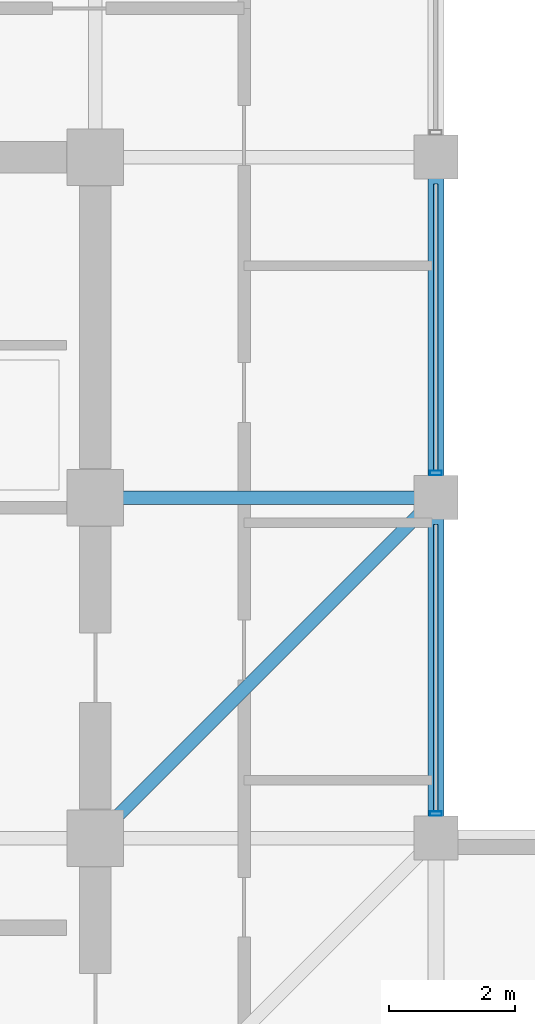
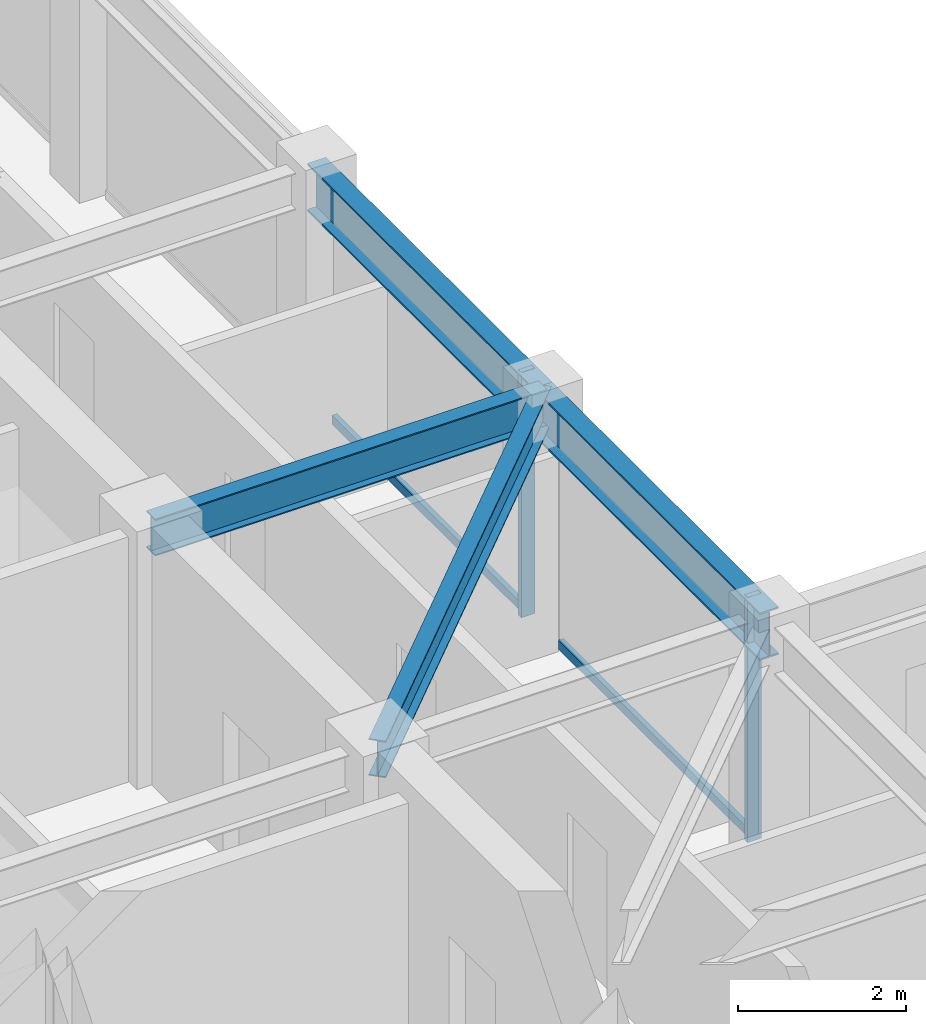
# One storey, part 11 of 31: 4 beams, 4 members, 1 element without a shape of its own.
"""IFC4 building model written with IfcOpenShell, lengths in metres."""

import ifcopenshell
import ifcopenshell.guid

model = None  # the IFC model being written
_history = None  # IfcOwnerHistory: only IFC2X3 demands one
_inside = {}  # id of a spatial element -> (the spatial element, [elements in it])
_under = {}  # id of a project, library or spatial element -> (it, [spatial elements below it])
_declared = {}  # id of a project -> (the project, [libraries it declares])
_typed = {}  # id of a type object -> (the type object, [elements of that type])
_made_of = {}  # id of a material, layer set ... -> (it, [elements and type objects made of it])


def new_model(schema):
    """Start an empty IFC model of exactly this schema.

    Asked for "IFC4X3", IfcOpenShell would pick the latest addendum, in which some entities
    have other attributes; the version numbers below select the first issue.
    IFC2X3 requires an IfcOwnerHistory on every rooted entity: one is made here for all.
    """
    global model, _history
    if schema == "IFC4X3":
        model = ifcopenshell.file(schema_version=(4, 3, 0, 0))
    else:
        model = ifcopenshell.file(schema=schema)
    _inside.clear()
    _under.clear()
    _declared.clear()
    _typed.clear()
    _made_of.clear()
    _history = None
    if model.schema == "IFC2X3":
        org = make("IfcOrganization", Name="unknown")
        user = make(
            "IfcPersonAndOrganization",
            ThePerson=make("IfcPerson", FamilyName="unknown"),
            TheOrganization=org,
        )
        app = make(
            "IfcApplication",
            ApplicationDeveloper=org,
            Version="unknown",
            ApplicationFullName="unknown",
            ApplicationIdentifier="unknown",
        )
        _history = make(
            "IfcOwnerHistory",
            OwningUser=user,
            OwningApplication=app,
            ChangeAction="ADDED",
            CreationDate=0,
        )
    return model


def make(cls, **values):
    """One entity of the class cls with the attributes given. An attribute that is None is left unset."""
    return model.create_entity(
        cls, **{name: value for name, value in values.items() if value is not None}
    )


def rooted(cls, **values):
    """An entity with a GlobalId (a new one), such as an element, a storey or a relation."""
    return make(cls, GlobalId=ifcopenshell.guid.new(), OwnerHistory=_history, **values)


def si_unit(unit_type, name, prefix=None):
    """IfcSIUnit, for example si_unit("LENGTHUNIT", "METRE", prefix="MILLI")."""
    return make("IfcSIUnit", UnitType=unit_type, Prefix=prefix, Name=name)


def assignment(units):
    """IfcUnitAssignment: the units of a project."""
    return None if units is None else make("IfcUnitAssignment", Units=units)


def point(xyz):
    """IfcCartesianPoint."""
    return None if xyz is None else make("IfcCartesianPoint", Coordinates=xyz)


def direction(xyz):
    """IfcDirection."""
    return None if xyz is None else make("IfcDirection", DirectionRatios=xyz)


def frame(location, z_axis=None, x_axis=None):
    """IfcAxis2Placement3D, a coordinate frame: its origin and axes. An axis left out is left unset."""
    return make(
        "IfcAxis2Placement3D",
        Location=point(location),
        Axis=direction(z_axis),
        RefDirection=direction(x_axis),
    )


def frame_2d(location, x_axis=None):
    """IfcAxis2Placement2D, a coordinate frame in the plane: its origin and x axis."""
    return make(
        "IfcAxis2Placement2D", Location=point(location), RefDirection=direction(x_axis)
    )


def origin():
    """The frame at (0, 0, 0) with its axes left unset."""
    return frame((0.0, 0.0, 0.0))


def origin_2d():
    """The frame at (0, 0) in the plane with its x axis left unset."""
    return frame_2d((0.0, 0.0))


def place(relative_to, where):
    """IfcLocalPlacement: puts the frame where relative to a parent placement (None: the world)."""
    return make(
        "IfcLocalPlacement", PlacementRelTo=relative_to, RelativePlacement=where
    )


def context(
    kind, dimensions, precision=None, world=None, true_north=None, identifier=None
):
    """IfcGeometricRepresentationContext, for example the 3D "Model" context."""
    return make(
        "IfcGeometricRepresentationContext",
        ContextIdentifier=identifier,
        ContextType=kind,
        CoordinateSpaceDimension=dimensions,
        Precision=precision,
        WorldCoordinateSystem=world,
        TrueNorth=true_north,
    )


def subcontext(parent, identifier, kind, view, scale=None):
    """IfcGeometricRepresentationSubContext, for example "Body" below "Model"."""
    return make(
        "IfcGeometricRepresentationSubContext",
        ContextIdentifier=identifier,
        ContextType=kind,
        ParentContext=parent,
        TargetScale=scale,
        TargetView=view,
    )


def project(units=None, contexts=None):
    """IfcProject with its units and contexts."""
    return rooted(
        "IfcProject",
        Name="project",
        RepresentationContexts=contexts,
        UnitsInContext=assignment(units),
    )


def spatial(cls, under=None, at=None, **own):
    """A site, building, storey or space (cls), placed at a placement, below another one or the project."""
    s = rooted(cls, ObjectPlacement=at, **own)
    if under is not None:
        _under.setdefault(under.id(), (under, []))[1].append(s)
    return s


def profile(cls, at=None, kind="AREA", **sizes):
    """A parametric profile (cls). Its sizes go by their IFC names, for example OverallWidth=200.0."""
    return make(cls, ProfileType=kind, Position=at, **sizes)


def hollow_rectangle(**sizes):
    """IfcRectangleHollowProfileDef."""
    return profile("IfcRectangleHollowProfileDef", **sizes)


def i_section(**sizes):
    """IfcIShapeProfileDef."""
    return profile("IfcIShapeProfileDef", **sizes)


def extrude(swept, where, along, depth):
    """IfcExtrudedAreaSolid: the profile swept, set in the frame where, extruded along a direction by depth."""
    return make(
        "IfcExtrudedAreaSolid",
        SweptArea=swept,
        Position=where,
        ExtrudedDirection=direction(along),
        Depth=depth,
    )


def shape(context_of_items, identifier, shape_type, items):
    """IfcShapeRepresentation: the items that make up one representation, for example the "Body"."""
    return make(
        "IfcShapeRepresentation",
        ContextOfItems=context_of_items,
        RepresentationIdentifier=identifier,
        RepresentationType=shape_type,
        Items=items,
    )


def material(Name=None, Category=None):
    """IfcMaterial."""
    return make("IfcMaterial", Name=Name, Category=Category)


def layer(
    of_material, thickness, ventilated=None, Name=None, Category=None, Priority=None
):
    """IfcMaterialLayer: one layer of a wall or slab, of a material (None: an air gap)."""
    return make(
        "IfcMaterialLayer",
        Material=of_material,
        LayerThickness=thickness,
        IsVentilated=ventilated,
        Name=Name,
        Category=Category,
        Priority=Priority,
    )


def layer_set(layers, Name=None):
    """IfcMaterialLayerSet."""
    return make("IfcMaterialLayerSet", MaterialLayers=layers, LayerSetName=Name)


def material_profile(
    of_material, cross_section, Name=None, Category=None, Priority=None
):
    """IfcMaterialProfile: a cross section and its material."""
    return make(
        "IfcMaterialProfile",
        Name=Name,
        Material=of_material,
        Profile=cross_section,
        Priority=Priority,
        Category=Category,
    )


def profile_set(profiles, Name=None, composite=None):
    """IfcMaterialProfileSet."""
    return make(
        "IfcMaterialProfileSet",
        Name=Name,
        MaterialProfiles=profiles,
        CompositeProfile=composite,
    )


def made_of(thing, what):
    """Note that an element or type object is made of a material, layer set ...; save() writes the relation."""
    if what is not None:
        _made_of.setdefault(what.id(), (what, []))[1].append(thing)
    return thing


def type_object(cls, material=None, **own):
    """A type object (cls), such as IfcWallType, which elements share."""
    return made_of(rooted(cls, **own), material)


def element(
    cls,
    number,
    at=None,
    inside=None,
    cuts=None,
    type_object=None,
    material=None,
    context=None,
    identifier="Body",
    shape_type=None,
    held_by="IfcProductDefinitionShape",
    body=None,
    shapes=None,
    **own,
):
    """One element of the class cls, such as IfcWall. Its Tag is "e" and its number.

    at: its placement. inside: the storey or other place that contains it. cuts: it is an
    opening in that element (IfcRelVoidsElement). A single representation is given by context,
    identifier, shape_type and body (its items); several are given by shapes. held_by: the class
    of the entity that holds the representations. save() writes the other relations.
    """
    e = rooted(cls, Tag="e%d" % number, ObjectPlacement=at, **own)
    if body is not None:
        shapes = [shape(context, identifier, shape_type, body)]
    if shapes is not None:
        e.Representation = make(held_by, Representations=shapes)
    if inside is not None:
        _inside.setdefault(inside.id(), (inside, []))[1].append(e)
    if cuts is not None:
        rooted(
            "IfcRelVoidsElement", RelatingBuildingElement=cuts, RelatedOpeningElement=e
        )
    if type_object is not None:
        _typed.setdefault(type_object.id(), (type_object, []))[1].append(e)
    return made_of(e, material)


def aggregate(whole, parts):
    """IfcRelAggregates: a whole, such as a stair, and the parts it consists of."""
    return rooted("IfcRelAggregates", RelatingObject=whole, RelatedObjects=parts)


def save(model, path):
    """Write the relations noted so far, then the file.

    IfcRelAggregates (storeys below a building ...), IfcRelContainedInSpatialStructure (elements
    in a storey), IfcRelDefinesByType, IfcRelAssociatesMaterial and IfcRelDeclares: one each for
    every whole, place, type object, material and project.
    """
    for whole, parts in _under.values():
        aggregate(whole, parts)
    for where, things in _inside.values():
        rooted(
            "IfcRelContainedInSpatialStructure",
            RelatedElements=things,
            RelatingStructure=where,
        )
    for kind, things in _typed.values():
        rooted("IfcRelDefinesByType", RelatedObjects=things, RelatingType=kind)
    for what, things in _made_of.values():
        rooted("IfcRelAssociatesMaterial", RelatedObjects=things, RelatingMaterial=what)
    for by, libraries in _declared.values():
        rooted("IfcRelDeclares", RelatingContext=by, RelatedDefinitions=libraries)
    model.write(path)


model = new_model("IFC4")

# Units and contexts
model_context = context("Model", 3, precision=1e-05, world=origin(), true_north=direction((0.0, 1.0)))
body_context = subcontext(model_context, "Body", "Model", "MODEL_VIEW")
ifc_project = project(units=[si_unit("LENGTHUNIT", "METRE"), si_unit("AREAUNIT", "SQUARE_METRE"), si_unit("VOLUMEUNIT", "CUBIC_METRE"), si_unit("PLANEANGLEUNIT", "RADIAN"), si_unit("MASSUNIT", "GRAM", prefix="KILO")], contexts=[model_context])

# Site, building, storey
site_placement = place(None, origin())
site = spatial("IfcSite", under=ifc_project, at=site_placement, CompositionType="ELEMENT")
building_placement = place(site_placement, origin())
building = spatial("IfcBuilding", under=site, at=building_placement, Name="Surkhivell Harbour Commons", CompositionType="ELEMENT")
storey_placement = place(building_placement, frame((0.0, 0.0, 318.75)))
storey = spatial("IfcBuildingStorey", under=building, at=storey_placement, Name="L83", CompositionType="ELEMENT", Elevation=318.75)

# Beams
ifc_material_1 = material(Name="Steel S355", Category="steel")
ifc_material_profile_1 = material_profile(ifc_material_1, i_section(OverallWidth=0.2099609375, OverallDepth=0.537109375, WebThickness=0.0107421875, FlangeThickness=0.017333984375, at=origin_2d()), Name="UB533x210x101")
ifc_profile_set_1 = profile_set([ifc_material_profile_1], Name="Steel S355")
beam_type_1 = type_object("IfcBeamType", Name="BM-GRD-533B", PredefinedType="BEAM", material=ifc_profile_set_1)
beam_1_placement = place(storey_placement, frame((10.800048828125, 0.0, 3.301513671875), z_axis=(0.707106781187, 0.707106781187, 0.0), x_axis=(-0.707106781187, 0.707106781187, 0.0)))
element("IfcBeam", 1, at=beam_1_placement, inside=storey, type_object=beam_type_1, Name="L83 Floor Girder (10.8,0.0)", PredefinedType="BEAM", context=body_context, shape_type="SweptSolid", body=[
    extrude(i_section(OverallWidth=0.2099609375, OverallDepth=0.537109375, WebThickness=0.0107421875, FlangeThickness=0.017333984375, at=origin_2d()), origin(), (0.0, 0.0, 1.0), 7.63671875),
])
beam_2_placement = place(storey_placement, frame((10.800048828125, 5.39990234375, 3.301513671875), z_axis=(1.0, 0.0, 0.0), x_axis=(0.0, 1.0, 0.0)))
element("IfcBeam", 2, at=beam_2_placement, inside=storey, type_object=beam_type_1, Name="L83 Floor Girder (10.8,5.4)", PredefinedType="BEAM", context=body_context, shape_type="SweptSolid", body=[
    extrude(i_section(OverallWidth=0.2099609375, OverallDepth=0.537109375, WebThickness=0.0107421875, FlangeThickness=0.017333984375, at=origin_2d()), origin(), (0.0, 0.0, 1.0), 5.39990234375),
])
ifc_material_profile_2 = material_profile(ifc_material_1, i_section(OverallWidth=0.256103515625, OverallDepth=0.693115234375, WebThickness=0.014404296875, FlangeThickness=0.023681640625, at=origin_2d()), Name="UB686x254x170")
ifc_profile_set_2 = profile_set([ifc_material_profile_2], Name="Steel S355")
beam_type_2 = type_object("IfcBeamType", Name="BM-SPN-686", PredefinedType="SPANDREL", material=ifc_profile_set_2)
beam_3_placement = place(storey_placement, frame((16.199951171875, 0.0, 3.223388671875), z_axis=(0.0, 1.0, 0.0), x_axis=(-1.0, 0.0, 0.0)))
element("IfcBeam", 3, at=beam_3_placement, inside=storey, type_object=beam_type_2, Name="L83 Tube Spandrel (16.2,0.0)", PredefinedType="SPANDREL", context=body_context, shape_type="SweptSolid", body=[
    extrude(i_section(OverallWidth=0.256103515625, OverallDepth=0.693115234375, WebThickness=0.014404296875, FlangeThickness=0.023681640625, at=origin_2d()), origin(), (0.0, 0.0, 1.0), 5.39990234375),
])
beam_4_placement = place(storey_placement, frame((16.199951171875, 5.39990234375, 3.223388671875), z_axis=(0.0, 1.0, 0.0), x_axis=(-1.0, 0.0, 0.0)))
element("IfcBeam", 4, at=beam_4_placement, inside=storey, type_object=beam_type_2, Name="L83 Tube Spandrel (16.2,5.4)", PredefinedType="SPANDREL", context=body_context, shape_type="SweptSolid", body=[
    extrude(i_section(OverallWidth=0.256103515625, OverallDepth=0.693115234375, WebThickness=0.014404296875, FlangeThickness=0.023681640625, at=origin_2d()), origin(), (0.0, 0.0, 1.0), 5.400146484375),
])

# Curtain wall, members
ifc_material_2 = material(Name="Anodised pale-metal aluminium and insulated glazing", Category="aluminium")
ifc_layer = layer(ifc_material_2, 0.175048828125)
ifc_layer_set = layer_set([ifc_layer], Name="Anodised pale-metal aluminium and insulated glazing")
curtain_wall_type = type_object("IfcCurtainWallType", Name="CW-SYS-Z4", PredefinedType="NOTDEFINED", material=ifc_layer_set)
curtain_wall_placement = place(storey_placement, origin())
curtain_wall = element("IfcCurtainWall", 5, at=curtain_wall_placement, inside=storey, type_object=curtain_wall_type, Name="L83 Curtain Wall CW-L83-E02R1", PredefinedType="NOTDEFINED")
ifc_material_3 = material(Name="Anodised pale-metal aluminium alloy 6063-T6", Category="aluminium")
ifc_material_profile_3 = material_profile(ifc_material_3, hollow_rectangle(XDim=0.074951171875, YDim=0.18994140625, WallThickness=0.00390625, at=origin_2d()), Name="ALU-MULL-75x190")
ifc_profile_set_3 = profile_set([ifc_material_profile_3], Name="Anodised pale-metal aluminium alloy 6063-T6")
member_type_1 = type_object("IfcMemberType", Name="CWM-190", PredefinedType="MULLION", material=ifc_profile_set_3)
member_1_placement = place(storey_placement, frame((16.199951171875, 0.389404296875, 0.0), z_axis=(0.0, 0.0, 1.0), x_axis=(0.0, 1.0, 0.0)))
member_1 = element("IfcMember", 6, at=member_1_placement, type_object=member_type_1, Name="CW-Z4 mullion 1", PredefinedType="MULLION", context=body_context, shape_type="SweptSolid", body=[
    extrude(hollow_rectangle(XDim=0.074951171875, YDim=0.18994140625, WallThickness=0.00390625, at=origin_2d()), origin(), (0.0, 0.0, 1.0), 3.570068359375),
])
member_2_placement = place(storey_placement, frame((16.199951171875, 5.78955078125, 0.0), z_axis=(0.0, 0.0, 1.0), x_axis=(0.0, 1.0, 0.0)))
member_2 = element("IfcMember", 7, at=member_2_placement, type_object=member_type_1, Name="CW-Z4 mullion 2", PredefinedType="MULLION", context=body_context, shape_type="SweptSolid", body=[
    extrude(hollow_rectangle(XDim=0.074951171875, YDim=0.18994140625, WallThickness=0.00390625, at=origin_2d()), origin(), (0.0, 0.0, 1.0), 3.570068359375),
])
ifc_material_4 = material(Name="Champagne anodised aluminium alloy 6063-T6", Category="aluminium")
ifc_material_profile_4 = material_profile(ifc_material_4, hollow_rectangle(XDim=0.070068359375, YDim=0.1298828125, WallThickness=0.00341796875, at=origin_2d()), Name="ALU-TRAN-70x130")
ifc_profile_set_4 = profile_set([ifc_material_profile_4], Name="Champagne anodised aluminium alloy 6063-T6")
member_type_2 = type_object("IfcMemberType", Name="CWT-130", PredefinedType="USERDEFINED", material=ifc_profile_set_4)
member_3_placement = place(storey_placement, frame((16.199951171875, 0.427001953125, 0.06494140625), z_axis=(0.0, 1.0, 0.0), x_axis=(-1.0, 0.0, 0.0)))
member_3 = element("IfcMember", 8, at=member_3_placement, type_object=member_type_2, Name="CW-Z4 transom 1.1", ObjectType="TRANSOM", PredefinedType="USERDEFINED", context=body_context, shape_type="SweptSolid", body=[
    extrude(hollow_rectangle(XDim=0.070068359375, YDim=0.1298828125, WallThickness=0.00341796875, at=origin_2d()), origin(), (0.0, 0.0, 1.0), 4.5458984375),
])
member_4_placement = place(storey_placement, frame((16.199951171875, 5.826904296875, 0.06494140625), z_axis=(0.0, 1.0, 0.0), x_axis=(-1.0, 0.0, 0.0)))
member_4 = element("IfcMember", 9, at=member_4_placement, type_object=member_type_2, Name="CW-Z4 transom 2.1", ObjectType="TRANSOM", PredefinedType="USERDEFINED", context=body_context, shape_type="SweptSolid", body=[
    extrude(hollow_rectangle(XDim=0.070068359375, YDim=0.1298828125, WallThickness=0.00341796875, at=origin_2d()), origin(), (0.0, 0.0, 1.0), 4.546142578125),
])
aggregate(curtain_wall, [member_1, member_3, member_2, member_4])

save(model, "model.ifc")
